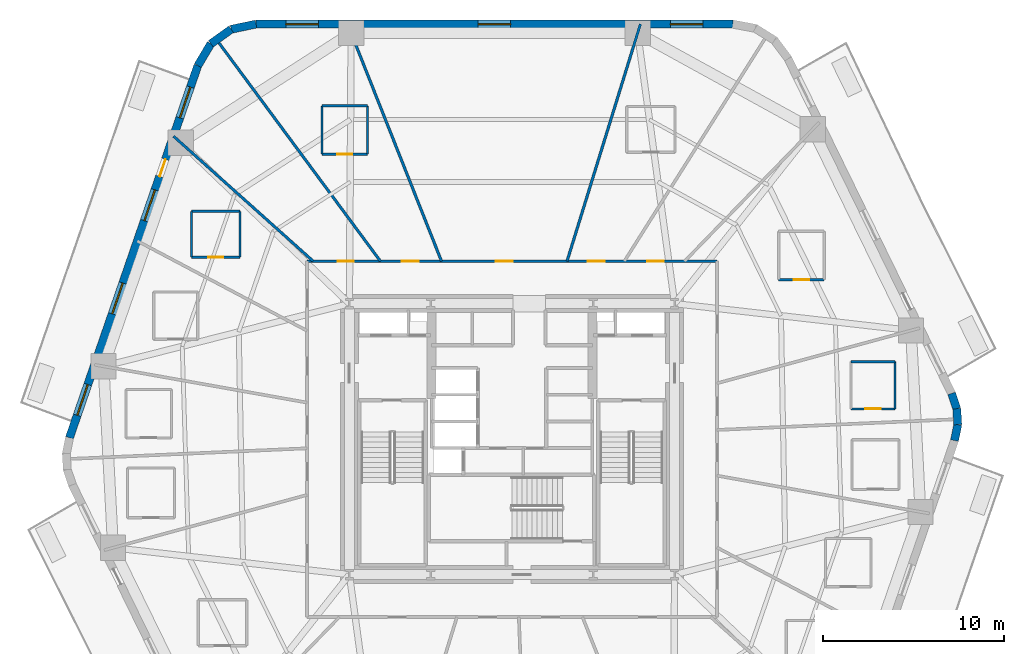
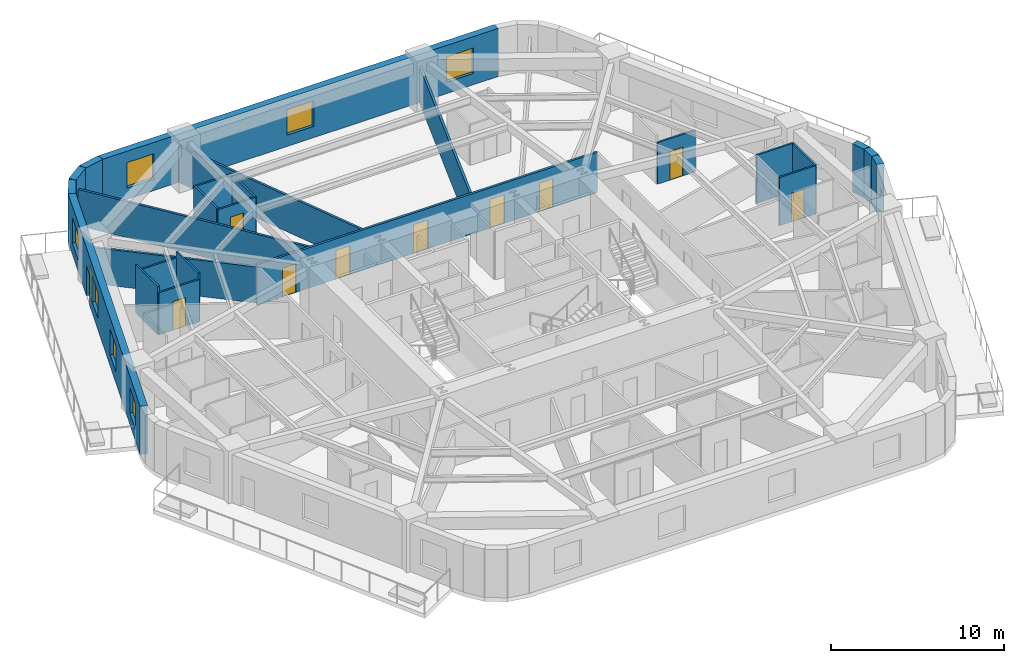
# One storey, part 6 of 10: 25 walls, 10 doors, 7 windows, 17 openings.
"""IFC4 building model written with IfcOpenShell, lengths in metres."""

from ifc_helpers import new_model, si_unit, direction, frame, frame_2d, origin, place, context, subcontext, project, spatial, rectangle, extrude, material, layer, layer_set, type_object, element, fill, save


model = new_model("IFC4")

# Units and contexts
model_context = context("Model", 3, precision=1e-05, world=origin(), true_north=direction((0.0, 1.0)))
body_context = subcontext(model_context, "Body", "Model", "MODEL_VIEW")
ifc_project = project(units=[si_unit("LENGTHUNIT", "METRE"), si_unit("AREAUNIT", "SQUARE_METRE"), si_unit("VOLUMEUNIT", "CUBIC_METRE"), si_unit("PLANEANGLEUNIT", "RADIAN"), si_unit("MASSUNIT", "GRAM", prefix="KILO")], contexts=[model_context])

# Site, building, storey
site_placement = place(None, origin())
site = spatial("IfcSite", under=ifc_project, at=site_placement, CompositionType="ELEMENT")
building_placement = place(site_placement, origin())
building = spatial("IfcBuilding", under=site, at=building_placement, Name="Kilnhurst Terrace Hotel", CompositionType="ELEMENT")
storey_placement = place(building_placement, frame((0.0, 0.0, 52.699951171875)))
storey = spatial("IfcBuildingStorey", under=building, at=storey_placement, Name="L11", CompositionType="ELEMENT", Elevation=52.699951171875)

# Walls
ifc_material_1 = material(Name="Precast concrete C40/50", Category="concrete")
ifc_layer_1 = layer(ifc_material_1, 0.449951171875, Name="Precast concrete C40/50")
ifc_layer_set_1 = layer_set([ifc_layer_1], Name="Precast concrete C40/50")
wall_type_1 = type_object("IfcWallType", Name="WL-BRK-450", PredefinedType="SOLIDWALL", material=ifc_layer_set_1)
wall_1_placement = place(storey_placement, frame((24.49560546875, -0.07666015625, 0.0), z_axis=(0.0, 0.0, 1.0), x_axis=(0.199570594521, 0.979883451132, 0.0)))
element("IfcWall", 1, at=wall_1_placement, inside=storey, type_object=wall_type_1, Name="L11 Rounded Corner Brick Wall C3.1", PredefinedType="SOLIDWALL", context=body_context, shape_type="SweptSolid", body=[
    extrude(rectangle(XDim=0.896728515625, YDim=0.449951171875, at=frame_2d((0.4482421875, 0.0))), origin(), (0.0, 0.0, 1.0), 3.400146484375),
])
wall_2_placement = place(storey_placement, frame((24.674560546875, 0.802001953125, 0.0), z_axis=(0.0, 0.0, 1.0), x_axis=(-0.061188874166, 0.998126205286, 0.0)))
element("IfcWall", 2, at=wall_2_placement, inside=storey, type_object=wall_type_1, Name="L11 Rounded Corner Brick Wall C3.2", PredefinedType="SOLIDWALL", context=body_context, shape_type="SweptSolid", body=[
    extrude(rectangle(XDim=0.8818359375, YDim=0.449951171875, at=frame_2d((0.44091796875, 0.0))), origin(), (0.0, 0.0, 1.0), 3.400146484375),
])
wall_3_placement = place(storey_placement, frame((24.62060546875, 1.68212890625, 0.0), z_axis=(0.0, 0.0, 1.0), x_axis=(-0.317697451681, 0.948192137278, 0.0)))
element("IfcWall", 3, at=wall_3_placement, inside=storey, type_object=wall_type_1, Name="L11 Rounded Corner Brick Wall C3.3", PredefinedType="SOLIDWALL", context=body_context, shape_type="SweptSolid", body=[
    extrude(rectangle(XDim=0.896728515625, YDim=0.449951171875, at=frame_2d((0.4482421875, 0.0))), origin(), (0.0, 0.0, 1.0), 3.400146484375),
])
wall_4_placement = place(storey_placement, frame((-14.168212890625, 22.97509765625, 0.0), z_axis=(0.0, 0.0, 1.0), x_axis=(-0.978770371074, -0.204959900243, 0.0)))
element("IfcWall", 4, at=wall_4_placement, inside=storey, type_object=wall_type_1, Name="L11 Rounded Corner Brick Wall C5.1", PredefinedType="SOLIDWALL", context=body_context, shape_type="SweptSolid", body=[
    extrude(rectangle(XDim=1.405517578125, YDim=0.449951171875, at=frame_2d((0.70263671875, 0.0))), origin(), (0.0, 0.0, 1.0), 3.400146484375),
])
wall_5_placement = place(storey_placement, frame((-15.5439453125, 22.68701171875, 0.0), z_axis=(0.0, 0.0, 1.0), x_axis=(-0.814210854316, -0.580569276412, 0.0)))
element("IfcWall", 5, at=wall_5_placement, inside=storey, type_object=wall_type_1, Name="L11 Rounded Corner Brick Wall C5.2", PredefinedType="SOLIDWALL", context=body_context, shape_type="SweptSolid", body=[
    extrude(rectangle(XDim=1.38134765625, YDim=0.449951171875, at=frame_2d((0.690673828125, 0.0))), origin(), (0.0, 0.0, 1.0), 3.400146484375),
])
wall_6_placement = place(storey_placement, frame((-16.668701171875, 21.885009765625, 0.0), z_axis=(0.0, 0.0, 1.0), x_axis=(-0.512936712947, -0.858426425799, 0.0)))
element("IfcWall", 6, at=wall_6_placement, inside=storey, type_object=wall_type_1, Name="L11 Rounded Corner Brick Wall C5.3", PredefinedType="SOLIDWALL", context=body_context, shape_type="SweptSolid", body=[
    extrude(rectangle(XDim=1.405517578125, YDim=0.449951171875, at=frame_2d((0.70263671875, 0.0))), origin(), (0.0, 0.0, 1.0), 3.400146484375),
])

# Wall, openings, windows
wall_7_placement = place(storey_placement, frame((12.220947265625, 22.97509765625, 0.0), z_axis=(0.0, 0.0, 1.0), x_axis=(-1.0, 0.0, 0.0)))
wall_7 = element("IfcWall", 7, at=wall_7_placement, inside=storey, type_object=wall_type_1, Name="L11 Exterior Brick Facade Wall F4", PredefinedType="SOLIDWALL", context=body_context, shape_type="SweptSolid", body=[
    extrude(rectangle(XDim=26.38916015625, YDim=0.449951171875, at=frame_2d((13.194580078125, 0.0))), origin(), (0.0, 0.0, 1.0), 3.400146484375),
])
opening_1_placement = place(wall_7_placement, frame((1.653076171875, 0.0, 0.800048828125)))
opening_1 = element("IfcOpeningElement", 8, at=opening_1_placement, cuts=wall_7, Name="Opening W-01", PredefinedType="OPENING", context=body_context, shape_type="SweptSolid", body=[
    extrude(rectangle(XDim=1.800048828125, YDim=1.800048828125, at=frame_2d((0.89990234375, 0.89990234375))), frame((0.0, 0.23486328125, 0.0), z_axis=(0.0, -1.0, 0.0), x_axis=(1.0, 0.0, 0.0)), (0.0, 0.0, 1.0), 0.469970703125),
])
opening_2_placement = place(wall_7_placement, frame((12.2958984375, 0.0, 0.800048828125)))
opening_2 = element("IfcOpeningElement", 9, at=opening_2_placement, cuts=wall_7, Name="Opening W-01", PredefinedType="OPENING", context=body_context, shape_type="SweptSolid", body=[
    extrude(rectangle(XDim=1.800048828125, YDim=1.800048828125, at=frame_2d((0.89990234375, 0.89990234375))), frame((0.0, 0.23486328125, 0.0), z_axis=(0.0, -1.0, 0.0), x_axis=(1.0, 0.0, 0.0)), (0.0, 0.0, 1.0), 0.469970703125),
])
opening_3_placement = place(wall_7_placement, frame((22.93798828125, 0.0, 0.800048828125)))
opening_3 = element("IfcOpeningElement", 10, at=opening_3_placement, cuts=wall_7, Name="Opening W-01", PredefinedType="OPENING", context=body_context, shape_type="SweptSolid", body=[
    extrude(rectangle(XDim=1.800048828125, YDim=1.800048828125, at=frame_2d((0.89990234375, 0.89990234375))), frame((0.0, 0.23486328125, 0.0), z_axis=(0.0, -1.0, 0.0), x_axis=(1.0, 0.0, 0.0)), (0.0, 0.0, 1.0), 0.469970703125),
])
ifc_material_2 = material(Name="Thermally Broken Bronze Aluminium Alloy 6063-T6 and Low-E Glass", Category="aluminium")
window_type = type_object("IfcWindowType", Name="WIN-1800X1800", PartitioningType="SINGLE_PANEL", PredefinedType="WINDOW", material=ifc_material_2)
window_1_placement = place(opening_1_placement, origin())
window_1 = element("IfcWindow", 11, at=window_1_placement, inside=storey, type_object=window_type, Name="L11 Deep-Set Masonry Window F4.1", OverallHeight=1.800048828125, OverallWidth=1.800048828125, PartitioningType="SINGLE_PANEL", PredefinedType="WINDOW", context=body_context, shape_type="SweptSolid", body=[
    extrude(rectangle(XDim=1.800048828125, YDim=1.800048828125, at=frame_2d((0.89990234375, 0.89990234375))), frame((0.0, 0.030029296875, 0.0), z_axis=(0.0, -1.0, 0.0), x_axis=(1.0, 0.0, 0.0)), (0.0, 0.0, 1.0), 0.06005859375),
])
fill(opening_1, window_1)
window_2_placement = place(opening_2_placement, origin())
window_2 = element("IfcWindow", 12, at=window_2_placement, inside=storey, type_object=window_type, Name="L11 Deep-Set Masonry Window F4.2", OverallHeight=1.800048828125, OverallWidth=1.800048828125, PartitioningType="SINGLE_PANEL", PredefinedType="WINDOW", context=body_context, shape_type="SweptSolid", body=[
    extrude(rectangle(XDim=1.800048828125, YDim=1.800048828125, at=frame_2d((0.89990234375, 0.89990234375))), frame((0.0, 0.030029296875, 0.0), z_axis=(0.0, -1.0, 0.0), x_axis=(1.0, 0.0, 0.0)), (0.0, 0.0, 1.0), 0.06005859375),
])
fill(opening_2, window_2)
window_3_placement = place(opening_3_placement, origin())
window_3 = element("IfcWindow", 13, at=window_3_placement, inside=storey, type_object=window_type, Name="L11 Deep-Set Masonry Window F4.3", OverallHeight=1.800048828125, OverallWidth=1.800048828125, PartitioningType="SINGLE_PANEL", PredefinedType="WINDOW", context=body_context, shape_type="SweptSolid", body=[
    extrude(rectangle(XDim=1.800048828125, YDim=1.800048828125, at=frame_2d((0.89990234375, 0.89990234375))), frame((0.0, 0.030029296875, 0.0), z_axis=(0.0, -1.0, 0.0), x_axis=(1.0, 0.0, 0.0)), (0.0, 0.0, 1.0), 0.06005859375),
])
fill(opening_3, window_3)

# Wall, openings, door, windows
wall_8_placement = place(storey_placement, frame((-17.3896484375, 20.678466796875, 0.0), z_axis=(0.0, 0.0, 1.0), x_axis=(-0.326068018294, -0.945346310854, 0.0)))
wall_8 = element("IfcWall", 14, at=wall_8_placement, inside=storey, type_object=wall_type_1, Name="L11 Exterior Brick Facade Wall F5", PredefinedType="SOLIDWALL", context=body_context, shape_type="SweptSolid", body=[
    extrude(rectangle(XDim=21.79296875, YDim=0.449951171875, at=frame_2d((10.896484375, 0.0))), origin(), (0.0, 0.0, 1.0), 3.400146484375),
])
opening_4_placement = place(wall_8_placement, frame((5.492919921875, 0.0, 0.0)))
opening_4 = element("IfcOpeningElement", 15, at=opening_4_placement, cuts=wall_8, Name="Opening BD-1000", PredefinedType="OPENING", context=body_context, shape_type="SweptSolid", body=[
    extrude(rectangle(XDim=1.0, YDim=2.14990234375, at=frame_2d((0.5, 1.074951171875))), frame((0.0, 0.23486328125, 0.0), z_axis=(0.0, -1.0, 0.0), x_axis=(1.0, 0.0, 0.0)), (0.0, 0.0, 1.0), 0.469970703125),
])
opening_5_placement = place(wall_8_placement, frame((1.260009765625, 0.0, 0.800048828125)))
opening_5 = element("IfcOpeningElement", 16, at=opening_5_placement, cuts=wall_8, Name="Opening W-01", PredefinedType="OPENING", context=body_context, shape_type="SweptSolid", body=[
    extrude(rectangle(XDim=1.800048828125, YDim=1.800048828125, at=frame_2d((0.89990234375, 0.89990234375))), frame((0.0, 0.23486328125, 0.0), z_axis=(0.0, -1.0, 0.0), x_axis=(1.0, 0.0, 0.0)), (0.0, 0.0, 1.0), 0.469970703125),
])
opening_6_placement = place(wall_8_placement, frame((7.282958984375, 0.0, 0.800048828125)))
opening_6 = element("IfcOpeningElement", 17, at=opening_6_placement, cuts=wall_8, Name="Opening W-01", PredefinedType="OPENING", context=body_context, shape_type="SweptSolid", body=[
    extrude(rectangle(XDim=1.800048828125, YDim=1.800048828125, at=frame_2d((0.89990234375, 0.89990234375))), frame((0.0, 0.23486328125, 0.0), z_axis=(0.0, -1.0, 0.0), x_axis=(1.0, 0.0, 0.0)), (0.0, 0.0, 1.0), 0.469970703125),
])
opening_7_placement = place(wall_8_placement, frame((12.736083984375, 0.0, 0.800048828125)))
opening_7 = element("IfcOpeningElement", 18, at=opening_7_placement, cuts=wall_8, Name="Opening W-01", PredefinedType="OPENING", context=body_context, shape_type="SweptSolid", body=[
    extrude(rectangle(XDim=1.800048828125, YDim=1.800048828125, at=frame_2d((0.89990234375, 0.89990234375))), frame((0.0, 0.23486328125, 0.0), z_axis=(0.0, -1.0, 0.0), x_axis=(1.0, 0.0, 0.0)), (0.0, 0.0, 1.0), 0.469970703125),
])
opening_8_placement = place(wall_8_placement, frame((18.679931640625, 0.0, 0.800048828125)))
opening_8 = element("IfcOpeningElement", 19, at=opening_8_placement, cuts=wall_8, Name="Opening W-01", PredefinedType="OPENING", context=body_context, shape_type="SweptSolid", body=[
    extrude(rectangle(XDim=1.800048828125, YDim=1.800048828125, at=frame_2d((0.89990234375, 0.89990234375))), frame((0.0, 0.23486328125, 0.0), z_axis=(0.0, -1.0, 0.0), x_axis=(1.0, 0.0, 0.0)), (0.0, 0.0, 1.0), 0.469970703125),
])
ifc_material_3 = material(Name="Thermally Broken Bronze Aluminium Alloy 6063-T6 and Laminated Glass", Category="aluminium")
door_type_1 = type_object("IfcDoorType", Name="DR-EXT-BAL-1000", OperationType="NOTDEFINED", PredefinedType="DOOR", material=ifc_material_3)
door_1_placement = place(opening_4_placement, origin())
door_1 = element("IfcDoor", 20, at=door_1_placement, inside=storey, type_object=door_type_1, Name="L11 Planted Balcony Door BAL-L2A", OperationType="SINGLE_SWING_LEFT", OverallHeight=2.14990234375, OverallWidth=1.0, PredefinedType="DOOR", context=body_context, shape_type="SweptSolid", body=[
    extrude(rectangle(XDim=1.0, YDim=2.14990234375, at=frame_2d((0.5, 1.074951171875))), frame((0.0, 0.02490234375, 0.0), z_axis=(0.0, -1.0, 0.0), x_axis=(1.0, 0.0, 0.0)), (0.0, 0.0, 1.0), 0.050048828125),
])
fill(opening_4, door_1)
window_4_placement = place(opening_5_placement, origin())
window_4 = element("IfcWindow", 21, at=window_4_placement, inside=storey, type_object=window_type, Name="L11 Deep-Set Masonry Window F5.1", OverallHeight=1.800048828125, OverallWidth=1.800048828125, PartitioningType="SINGLE_PANEL", PredefinedType="WINDOW", context=body_context, shape_type="SweptSolid", body=[
    extrude(rectangle(XDim=1.800048828125, YDim=1.800048828125, at=frame_2d((0.89990234375, 0.89990234375))), frame((0.0, 0.030029296875, 0.0), z_axis=(0.0, -1.0, 0.0), x_axis=(1.0, 0.0, 0.0)), (0.0, 0.0, 1.0), 0.06005859375),
])
fill(opening_5, window_4)
window_5_placement = place(opening_6_placement, origin())
window_5 = element("IfcWindow", 22, at=window_5_placement, inside=storey, type_object=window_type, Name="L11 Deep-Set Masonry Window F5.2", OverallHeight=1.800048828125, OverallWidth=1.800048828125, PartitioningType="SINGLE_PANEL", PredefinedType="WINDOW", context=body_context, shape_type="SweptSolid", body=[
    extrude(rectangle(XDim=1.800048828125, YDim=1.800048828125, at=frame_2d((0.89990234375, 0.89990234375))), frame((0.0, 0.030029296875, 0.0), z_axis=(0.0, -1.0, 0.0), x_axis=(1.0, 0.0, 0.0)), (0.0, 0.0, 1.0), 0.06005859375),
])
fill(opening_6, window_5)
window_6_placement = place(opening_7_placement, origin())
window_6 = element("IfcWindow", 23, at=window_6_placement, inside=storey, type_object=window_type, Name="L11 Deep-Set Masonry Window F5.3", OverallHeight=1.800048828125, OverallWidth=1.800048828125, PartitioningType="SINGLE_PANEL", PredefinedType="WINDOW", context=body_context, shape_type="SweptSolid", body=[
    extrude(rectangle(XDim=1.800048828125, YDim=1.800048828125, at=frame_2d((0.89990234375, 0.89990234375))), frame((0.0, 0.030029296875, 0.0), z_axis=(0.0, -1.0, 0.0), x_axis=(1.0, 0.0, 0.0)), (0.0, 0.0, 1.0), 0.06005859375),
])
fill(opening_7, window_6)
window_7_placement = place(opening_8_placement, origin())
window_7 = element("IfcWindow", 24, at=window_7_placement, inside=storey, type_object=window_type, Name="L11 Deep-Set Masonry Window F5.4", OverallHeight=1.800048828125, OverallWidth=1.800048828125, PartitioningType="SINGLE_PANEL", PredefinedType="WINDOW", context=body_context, shape_type="SweptSolid", body=[
    extrude(rectangle(XDim=1.800048828125, YDim=1.800048828125, at=frame_2d((0.89990234375, 0.89990234375))), frame((0.0, 0.030029296875, 0.0), z_axis=(0.0, -1.0, 0.0), x_axis=(1.0, 0.0, 0.0)), (0.0, 0.0, 1.0), 0.06005859375),
])
fill(opening_8, window_7)

# Wall, openings, doors
ifc_material_4 = material(Name="Acoustic Double-Gypsum Corridor Partition Assembly")
ifc_layer_2 = layer(ifc_material_4, 0.14990234375, Name="Acoustic Double-Gypsum Corridor Partition Assembly")
ifc_layer_set_2 = layer_set([ifc_layer_2], Name="Acoustic Double-Gypsum Corridor Partition Assembly")
wall_type_2 = type_object("IfcWallType", Name="WL-COR-150", PredefinedType="PARTITIONING", material=ifc_layer_set_2)
wall_9_placement = place(storey_placement, frame((-11.35009765625, 9.85009765625, 0.0), z_axis=(0.0, 0.0, 1.0), x_axis=(1.0, 0.0, 0.0)))
wall_9 = element("IfcWall", 25, at=wall_9_placement, inside=storey, type_object=wall_type_2, Name="L11 Interior Wall WL-L11-COR-02", PredefinedType="PARTITIONING", context=body_context, shape_type="SweptSolid", body=[
    extrude(rectangle(XDim=22.7001953125, YDim=0.14990234375, at=frame_2d((11.35009765625, 0.0))), origin(), (0.0, 0.0, 1.0), 2.840087890625),
])
opening_9_placement = place(wall_9_placement, frame((18.8369140625, 0.0, 0.0)))
opening_9 = element("IfcOpeningElement", 26, at=opening_9_placement, cuts=wall_9, Name="Opening D-60C", PredefinedType="OPENING", context=body_context, shape_type="SweptSolid", body=[
    extrude(rectangle(XDim=0.89990234375, YDim=2.030029296875, at=frame_2d((0.449951171875, 1.01513671875))), frame((0.0, 0.0849609375, 0.0), z_axis=(0.0, -1.0, 0.0), x_axis=(1.0, 0.0, 0.0)), (0.0, 0.0, 1.0), 0.169921875),
])
opening_10_placement = place(wall_9_placement, frame((15.531982421875, 0.0, 0.0)))
opening_10 = element("IfcOpeningElement", 27, at=opening_10_placement, cuts=wall_9, Name="Opening D-60B", PredefinedType="OPENING", context=body_context, shape_type="SweptSolid", body=[
    extrude(rectangle(XDim=0.949951171875, YDim=2.030029296875, at=frame_2d((0.47509765625, 1.01513671875))), frame((0.0, 0.0849609375, 0.0), z_axis=(0.0, -1.0, 0.0), x_axis=(1.0, 0.0, 0.0)), (0.0, 0.0, 1.0), 0.169921875),
])
opening_11_placement = place(wall_9_placement, frame((10.444091796875, 0.0, 0.0)))
opening_11 = element("IfcOpeningElement", 28, at=opening_11_placement, cuts=wall_9, Name="Opening D-60B", PredefinedType="OPENING", context=body_context, shape_type="SweptSolid", body=[
    extrude(rectangle(XDim=0.949951171875, YDim=2.030029296875, at=frame_2d((0.47509765625, 1.01513671875))), frame((0.0, 0.0849609375, 0.0), z_axis=(0.0, -1.0, 0.0), x_axis=(1.0, 0.0, 0.0)), (0.0, 0.0, 1.0), 0.169921875),
])
opening_12_placement = place(wall_9_placement, frame((5.251953125, 0.0, 0.0)))
opening_12 = element("IfcOpeningElement", 29, at=opening_12_placement, cuts=wall_9, Name="Opening D-60B", PredefinedType="OPENING", context=body_context, shape_type="SweptSolid", body=[
    extrude(rectangle(XDim=0.949951171875, YDim=2.030029296875, at=frame_2d((0.47509765625, 1.01513671875))), frame((0.0, 0.0849609375, 0.0), z_axis=(0.0, -1.0, 0.0), x_axis=(1.0, 0.0, 0.0)), (0.0, 0.0, 1.0), 0.169921875),
])
opening_13_placement = place(wall_9_placement, frame((1.701904296875, 0.0, 0.0)))
opening_13 = element("IfcOpeningElement", 30, at=opening_13_placement, cuts=wall_9, Name="Opening D-60C", PredefinedType="OPENING", context=body_context, shape_type="SweptSolid", body=[
    extrude(rectangle(XDim=0.89990234375, YDim=2.030029296875, at=frame_2d((0.449951171875, 1.01513671875))), frame((0.0, 0.0849609375, 0.0), z_axis=(0.0, -1.0, 0.0), x_axis=(1.0, 0.0, 0.0)), (0.0, 0.0, 1.0), 0.169921875),
])
ifc_material_5 = material(Name="Painted Solid-Core Service Fire Door")
door_type_2 = type_object("IfcDoorType", Name="DR-FD60-900", OperationType="NOTDEFINED", PredefinedType="DOOR", material=ifc_material_5)
door_2_placement = place(opening_9_placement, origin())
door_2 = element("IfcDoor", 31, at=door_2_placement, inside=storey, type_object=door_type_2, Name="L11 Executive Work Office Door 3", OperationType="SINGLE_SWING_LEFT", OverallHeight=2.030029296875, OverallWidth=0.89990234375, PredefinedType="DOOR", context=body_context, shape_type="SweptSolid", body=[
    extrude(rectangle(XDim=0.89990234375, YDim=2.030029296875, at=frame_2d((0.449951171875, 1.01513671875))), frame((0.0, 0.02490234375, 0.0), z_axis=(0.0, -1.0, 0.0), x_axis=(1.0, 0.0, 0.0)), (0.0, 0.0, 1.0), 0.050048828125),
])
fill(opening_9, door_2)
door_3_placement = place(opening_13_placement, origin())
door_3 = element("IfcDoor", 32, at=door_3_placement, inside=storey, type_object=door_type_2, Name="L11 Executive Work Office Door 7", OperationType="SINGLE_SWING_LEFT", OverallHeight=2.030029296875, OverallWidth=0.89990234375, PredefinedType="DOOR", context=body_context, shape_type="SweptSolid", body=[
    extrude(rectangle(XDim=0.89990234375, YDim=2.030029296875, at=frame_2d((0.449951171875, 1.01513671875))), frame((0.0, 0.02490234375, 0.0), z_axis=(0.0, -1.0, 0.0), x_axis=(1.0, 0.0, 0.0)), (0.0, 0.0, 1.0), 0.050048828125),
])
fill(opening_13, door_3)
ifc_material_6 = material(Name="Acoustic Walnut Veneer Solid-Core Fire Door")
door_type_3 = type_object("IfcDoorType", Name="DR-FD60-950", OperationType="NOTDEFINED", PredefinedType="DOOR", material=ifc_material_6)
door_4_placement = place(opening_10_placement, origin())
door_4 = element("IfcDoor", 33, at=door_4_placement, inside=storey, type_object=door_type_3, Name="L11 Guest Room Entry Door 4", OperationType="SINGLE_SWING_RIGHT", OverallHeight=2.030029296875, OverallWidth=0.949951171875, PredefinedType="DOOR", context=body_context, shape_type="SweptSolid", body=[
    extrude(rectangle(XDim=0.949951171875, YDim=2.030029296875, at=frame_2d((0.47509765625, 1.01513671875))), frame((0.0, 0.02490234375, 0.0), z_axis=(0.0, -1.0, 0.0), x_axis=(1.0, 0.0, 0.0)), (0.0, 0.0, 1.0), 0.050048828125),
])
fill(opening_10, door_4)
door_5_placement = place(opening_11_placement, origin())
door_5 = element("IfcDoor", 34, at=door_5_placement, inside=storey, type_object=door_type_3, Name="L11 Executive Boardroom Door", OperationType="SINGLE_SWING_LEFT", OverallHeight=2.030029296875, OverallWidth=0.949951171875, PredefinedType="DOOR", context=body_context, shape_type="SweptSolid", body=[
    extrude(rectangle(XDim=0.949951171875, YDim=2.030029296875, at=frame_2d((0.47509765625, 1.01513671875))), frame((0.0, 0.02490234375, 0.0), z_axis=(0.0, -1.0, 0.0), x_axis=(1.0, 0.0, 0.0)), (0.0, 0.0, 1.0), 0.050048828125),
])
fill(opening_11, door_5)
door_6_placement = place(opening_12_placement, origin())
door_6 = element("IfcDoor", 35, at=door_6_placement, inside=storey, type_object=door_type_3, Name="L11 Guest Room Entry Door 6", OperationType="SINGLE_SWING_RIGHT", OverallHeight=2.030029296875, OverallWidth=0.949951171875, PredefinedType="DOOR", context=body_context, shape_type="SweptSolid", body=[
    extrude(rectangle(XDim=0.949951171875, YDim=2.030029296875, at=frame_2d((0.47509765625, 1.01513671875))), frame((0.0, 0.02490234375, 0.0), z_axis=(0.0, -1.0, 0.0), x_axis=(1.0, 0.0, 0.0)), (0.0, 0.0, 1.0), 0.050048828125),
])
fill(opening_12, door_6)

# Walls
ifc_material_7 = material(Name="STC-58 Acoustic Twin-Frame Guestroom Demising Partition")
ifc_layer_3 = layer(ifc_material_7, 0.14990234375, Name="STC-58 Acoustic Twin-Frame Guestroom Demising Partition")
ifc_layer_set_3 = layer_set([ifc_layer_3], Name="STC-58 Acoustic Twin-Frame Guestroom Demising Partition")
wall_type_3 = type_object("IfcWallType", Name="WL-DEM-150", PredefinedType="PARTITIONING", material=ifc_layer_set_3)
wall_10_placement = place(storey_placement, frame((3.047607421875, 9.85009765625, 0.0), z_axis=(0.0, 0.0, 1.0), x_axis=(0.295553992761, 0.955326037206, 0.0)))
element("IfcWall", 36, at=wall_10_placement, inside=storey, type_object=wall_type_3, Name="L11 Interior Wall WL-L11-DEM-COL03-05-1", PredefinedType="PARTITIONING", context=body_context, shape_type="SweptSolid", body=[
    extrude(rectangle(XDim=13.73876953125, YDim=0.14990234375, at=frame_2d((6.869384765625, 0.0))), origin(), (0.0, 0.0, 1.0), 2.5400390625),
])
wall_11_placement = place(storey_placement, frame((-3.90185546875, 9.85009765625, 0.0), z_axis=(0.0, 0.0, 1.0), x_axis=(-0.36828765711, 0.929711891728, 0.0)))
element("IfcWall", 37, at=wall_11_placement, inside=storey, type_object=wall_type_3, Name="L11 Interior Wall WL-L11-DEM-COL04-06-1", PredefinedType="PARTITIONING", context=body_context, shape_type="SweptSolid", body=[
    extrude(rectangle(XDim=14.1171875, YDim=0.14990234375, at=frame_2d((7.05859375, 0.0))), origin(), (0.0, 0.0, 1.0), 2.5400390625),
])
wall_12_placement = place(storey_placement, frame((-7.284912109375, 9.85009765625, 0.0), z_axis=(0.0, 0.0, 1.0), x_axis=(-0.594630332275, 0.803999233792, 0.0)))
element("IfcWall", 38, at=wall_12_placement, inside=storey, type_object=wall_type_3, Name="L11 Interior Wall WL-L11-DEM-MID04-07-1", PredefinedType="PARTITIONING", context=body_context, shape_type="SweptSolid", body=[
    extrude(rectangle(XDim=15.089111328125, YDim=0.14990234375, at=frame_2d((7.54443359375, 0.0))), origin(), (0.0, 0.0, 1.0), 2.5400390625),
])
wall_13_placement = place(storey_placement, frame((-11.006591796875, 9.85009765625, 0.0), z_axis=(0.0, 0.0, 1.0), x_axis=(-0.745177305978, 0.666866390407, 0.0)))
element("IfcWall", 39, at=wall_13_placement, inside=storey, type_object=wall_type_3, Name="L11 Interior Wall WL-L11-DEM-COL05-08-1", PredefinedType="PARTITIONING", context=body_context, shape_type="SweptSolid", body=[
    extrude(rectangle(XDim=10.375244140625, YDim=0.14990234375, at=frame_2d((5.1875, 0.0))), origin(), (0.0, 0.0, 1.0), 2.5400390625),
])

# Wall, opening, door
ifc_material_8 = material(Name="120 mm Moisture-Resistant Tile-Backed Bathroom Partition")
ifc_layer_4 = layer(ifc_material_8, 0.1201171875, Name="120 mm Moisture-Resistant Tile-Backed Bathroom Partition")
ifc_layer_set_4 = layer_set([ifc_layer_4], Name="120 mm Moisture-Resistant Tile-Backed Bathroom Partition")
wall_type_4 = type_object("IfcWallType", Name="WL-PART-120", PredefinedType="PARTITIONING", material=ifc_layer_set_4)
wall_14_placement = place(storey_placement, frame((18.760009765625, 1.676025390625, 0.0), z_axis=(0.0, 0.0, 1.0), x_axis=(1.0, 0.0, 0.0)))
wall_14 = element("IfcWall", 40, at=wall_14_placement, inside=storey, type_object=wall_type_4, Name="L11 Interior Wall WL-L11-BTH-01-1", PredefinedType="PARTITIONING", context=body_context, shape_type="SweptSolid", body=[
    extrude(rectangle(XDim=2.43994140625, YDim=0.1201171875, at=frame_2d((1.219970703125, 0.0))), origin(), (0.0, 0.0, 1.0), 3.400146484375),
])
opening_14_placement = place(wall_14_placement, frame((0.794921875, 0.0, 0.0)))
opening_14 = element("IfcOpeningElement", 41, at=opening_14_placement, cuts=wall_14, Name="Opening D-08A", PredefinedType="OPENING", context=body_context, shape_type="SweptSolid", body=[
    extrude(rectangle(XDim=0.85009765625, YDim=2.030029296875, at=frame_2d((0.425048828125, 1.01513671875))), frame((0.0, 0.070068359375, 0.0), z_axis=(0.0, -1.0, 0.0), x_axis=(1.0, 0.0, 0.0)), (0.0, 0.0, 1.0), 0.14013671875),
])
ifc_material_9 = material(Name="Moisture-Resistant Lacquered En-suite Bathroom Door")
door_type_4 = type_object("IfcDoorType", Name="DR-INT-850", OperationType="NOTDEFINED", PredefinedType="DOOR", material=ifc_material_9)
door_7_placement = place(opening_14_placement, origin())
door_7 = element("IfcDoor", 42, at=door_7_placement, inside=storey, type_object=door_type_4, Name="L11 En-suite Bathroom Door 1", OperationType="SINGLE_SWING_RIGHT", OverallHeight=2.030029296875, OverallWidth=0.85009765625, PredefinedType="DOOR", context=body_context, shape_type="SweptSolid", body=[
    extrude(rectangle(XDim=0.85009765625, YDim=2.030029296875, at=frame_2d((0.425048828125, 1.01513671875))), frame((0.0, 0.02490234375, 0.0), z_axis=(0.0, -1.0, 0.0), x_axis=(1.0, 0.0, 0.0)), (0.0, 0.0, 1.0), 0.050048828125),
])
fill(opening_14, door_7)

# Walls
wall_15_placement = place(storey_placement, frame((21.199951171875, 1.676025390625, 0.0), z_axis=(0.0, 0.0, 1.0), x_axis=(0.0, 1.0, 0.0)))
element("IfcWall", 43, at=wall_15_placement, inside=storey, type_object=wall_type_4, Name="L11 Interior Wall WL-L11-BTH-01-2", PredefinedType="PARTITIONING", context=body_context, shape_type="SweptSolid", body=[
    extrude(rectangle(XDim=2.60986328125, YDim=0.1201171875, at=frame_2d((1.304931640625, 0.0))), origin(), (0.0, 0.0, 1.0), 3.400146484375),
])
wall_16_placement = place(storey_placement, frame((21.199951171875, 4.285888671875, 0.0), z_axis=(0.0, 0.0, 1.0), x_axis=(-1.0, 0.0, 0.0)))
element("IfcWall", 44, at=wall_16_placement, inside=storey, type_object=wall_type_4, Name="L11 Interior Wall WL-L11-BTH-01-3", PredefinedType="PARTITIONING", context=body_context, shape_type="SweptSolid", body=[
    extrude(rectangle(XDim=2.43994140625, YDim=0.1201171875, at=frame_2d((1.219970703125, 0.0))), origin(), (0.0, 0.0, 1.0), 3.400146484375),
])

# Wall, opening, door
wall_17_placement = place(storey_placement, frame((14.763916015625, 8.824951171875, 0.0), z_axis=(0.0, 0.0, 1.0), x_axis=(1.0, 0.0, 0.0)))
wall_17 = element("IfcWall", 45, at=wall_17_placement, inside=storey, type_object=wall_type_4, Name="L11 Interior Wall WL-L11-BTH-02-1", PredefinedType="PARTITIONING", context=body_context, shape_type="SweptSolid", body=[
    extrude(rectangle(XDim=2.52001953125, YDim=0.1201171875, at=frame_2d((1.260009765625, 0.0))), origin(), (0.0, 0.0, 1.0), 2.926513671875),
])
opening_15_placement = place(wall_17_placement, frame((0.8349609375, 0.0, 0.0)))
opening_15 = element("IfcOpeningElement", 46, at=opening_15_placement, cuts=wall_17, Name="Opening D-08A", PredefinedType="OPENING", context=body_context, shape_type="SweptSolid", body=[
    extrude(rectangle(XDim=0.85009765625, YDim=2.030029296875, at=frame_2d((0.425048828125, 1.01513671875))), frame((0.0, 0.070068359375, 0.0), z_axis=(0.0, -1.0, 0.0), x_axis=(1.0, 0.0, 0.0)), (0.0, 0.0, 1.0), 0.14013671875),
])
door_8_placement = place(opening_15_placement, origin())
door_8 = element("IfcDoor", 47, at=door_8_placement, inside=storey, type_object=door_type_4, Name="L11 En-suite Bathroom Door 2", OperationType="SINGLE_SWING_LEFT", OverallHeight=2.030029296875, OverallWidth=0.85009765625, PredefinedType="DOOR", context=body_context, shape_type="SweptSolid", body=[
    extrude(rectangle(XDim=0.85009765625, YDim=2.030029296875, at=frame_2d((0.425048828125, 1.01513671875))), frame((0.0, 0.02490234375, 0.0), z_axis=(0.0, -1.0, 0.0), x_axis=(1.0, 0.0, 0.0)), (0.0, 0.0, 1.0), 0.050048828125),
])
fill(opening_15, door_8)

wall_18_placement = place(storey_placement, frame((-10.51904296875, 15.77001953125, 0.0), z_axis=(0.0, 0.0, 1.0), x_axis=(1.0, 0.0, 0.0)))
wall_18 = element("IfcWall", 48, at=wall_18_placement, inside=storey, type_object=wall_type_4, Name="L11 Interior Wall WL-L11-BTH-06-1", PredefinedType="PARTITIONING", context=body_context, shape_type="SweptSolid", body=[
    extrude(rectangle(XDim=2.52001953125, YDim=0.1201171875, at=frame_2d((1.260009765625, 0.0))), origin(), (0.0, 0.0, 1.0), 2.840087890625),
])
opening_16_placement = place(wall_18_placement, frame((0.8349609375, 0.0, 0.0)))
opening_16 = element("IfcOpeningElement", 49, at=opening_16_placement, cuts=wall_18, Name="Opening D-08A", PredefinedType="OPENING", context=body_context, shape_type="SweptSolid", body=[
    extrude(rectangle(XDim=0.85009765625, YDim=2.030029296875, at=frame_2d((0.425048828125, 1.01513671875))), frame((0.0, 0.070068359375, 0.0), z_axis=(0.0, -1.0, 0.0), x_axis=(1.0, 0.0, 0.0)), (0.0, 0.0, 1.0), 0.14013671875),
])
door_9_placement = place(opening_16_placement, origin())
door_9 = element("IfcDoor", 50, at=door_9_placement, inside=storey, type_object=door_type_4, Name="L11 En-suite Bathroom Door 6", OperationType="SINGLE_SWING_LEFT", OverallHeight=2.030029296875, OverallWidth=0.85009765625, PredefinedType="DOOR", context=body_context, shape_type="SweptSolid", body=[
    extrude(rectangle(XDim=0.85009765625, YDim=2.030029296875, at=frame_2d((0.425048828125, 1.01513671875))), frame((0.0, 0.02490234375, 0.0), z_axis=(0.0, -1.0, 0.0), x_axis=(1.0, 0.0, 0.0)), (0.0, 0.0, 1.0), 0.050048828125),
])
fill(opening_16, door_9)

# Walls
wall_19_placement = place(storey_placement, frame((-7.9990234375, 15.77001953125, 0.0), z_axis=(0.0, 0.0, 1.0), x_axis=(0.0, 1.0, 0.0)))
element("IfcWall", 51, at=wall_19_placement, inside=storey, type_object=wall_type_4, Name="L11 Interior Wall WL-L11-BTH-06-2", PredefinedType="PARTITIONING", context=body_context, shape_type="SweptSolid", body=[
    extrude(rectangle(XDim=2.679931640625, YDim=0.1201171875, at=frame_2d((1.33984375, 0.0))), origin(), (0.0, 0.0, 1.0), 2.840576171875),
])
wall_20_placement = place(storey_placement, frame((-7.9990234375, 18.449951171875, 0.0), z_axis=(0.0, 0.0, 1.0), x_axis=(-1.0, 0.0, 0.0)))
element("IfcWall", 52, at=wall_20_placement, inside=storey, type_object=wall_type_4, Name="L11 Interior Wall WL-L11-BTH-06-3", PredefinedType="PARTITIONING", context=body_context, shape_type="SweptSolid", body=[
    extrude(rectangle(XDim=2.52001953125, YDim=0.1201171875, at=frame_2d((1.260009765625, 0.0))), origin(), (0.0, 0.0, 1.0), 2.840087890625),
])
wall_21_placement = place(storey_placement, frame((-10.51904296875, 18.449951171875, 0.0), z_axis=(0.0, 0.0, 1.0), x_axis=(0.0, -1.0, 0.0)))
element("IfcWall", 53, at=wall_21_placement, inside=storey, type_object=wall_type_4, Name="L11 Interior Wall WL-L11-BTH-06-4", PredefinedType="PARTITIONING", context=body_context, shape_type="SweptSolid", body=[
    extrude(rectangle(XDim=2.679931640625, YDim=0.1201171875, at=frame_2d((1.33984375, 0.0))), origin(), (0.0, 0.0, 1.0), 2.926513671875),
])

# Wall, opening, door
wall_22_placement = place(storey_placement, frame((-17.738037109375, 10.072021484375, 0.0), z_axis=(0.0, 0.0, 1.0), x_axis=(1.0, 0.0, 0.0)))
wall_22 = element("IfcWall", 54, at=wall_22_placement, inside=storey, type_object=wall_type_4, Name="L11 Interior Wall WL-L11-BTH-08-1", PredefinedType="PARTITIONING", context=body_context, shape_type="SweptSolid", body=[
    extrude(rectangle(XDim=2.679931640625, YDim=0.1201171875, at=frame_2d((1.33984375, 0.0))), origin(), (0.0, 0.0, 1.0), 2.972412109375),
])
opening_17_placement = place(wall_22_placement, frame((0.9150390625, 0.0, 0.0)))
opening_17 = element("IfcOpeningElement", 55, at=opening_17_placement, cuts=wall_22, Name="Opening D-08A", PredefinedType="OPENING", context=body_context, shape_type="SweptSolid", body=[
    extrude(rectangle(XDim=0.85009765625, YDim=2.030029296875, at=frame_2d((0.425048828125, 1.01513671875))), frame((0.0, 0.070068359375, 0.0), z_axis=(0.0, -1.0, 0.0), x_axis=(1.0, 0.0, 0.0)), (0.0, 0.0, 1.0), 0.14013671875),
])
door_10_placement = place(opening_17_placement, origin())
door_10 = element("IfcDoor", 56, at=door_10_placement, inside=storey, type_object=door_type_4, Name="L11 En-suite Bathroom Door 8", OperationType="SINGLE_SWING_LEFT", OverallHeight=2.030029296875, OverallWidth=0.85009765625, PredefinedType="DOOR", context=body_context, shape_type="SweptSolid", body=[
    extrude(rectangle(XDim=0.85009765625, YDim=2.030029296875, at=frame_2d((0.425048828125, 1.01513671875))), frame((0.0, 0.02490234375, 0.0), z_axis=(0.0, -1.0, 0.0), x_axis=(1.0, 0.0, 0.0)), (0.0, 0.0, 1.0), 0.050048828125),
])
fill(opening_17, door_10)

# Walls
wall_23_placement = place(storey_placement, frame((-15.05810546875, 10.072021484375, 0.0), z_axis=(0.0, 0.0, 1.0), x_axis=(0.0, 1.0, 0.0)))
element("IfcWall", 57, at=wall_23_placement, inside=storey, type_object=wall_type_4, Name="L11 Interior Wall WL-L11-BTH-08-2", PredefinedType="PARTITIONING", context=body_context, shape_type="SweptSolid", body=[
    extrude(rectangle(XDim=2.5400390625, YDim=0.1201171875, at=frame_2d((1.27001953125, 0.0))), origin(), (0.0, 0.0, 1.0), 3.400146484375),
])
wall_24_placement = place(storey_placement, frame((-15.05810546875, 12.612060546875, 0.0), z_axis=(0.0, 0.0, 1.0), x_axis=(-1.0, 0.0, 0.0)))
element("IfcWall", 58, at=wall_24_placement, inside=storey, type_object=wall_type_4, Name="L11 Interior Wall WL-L11-BTH-08-3", PredefinedType="PARTITIONING", context=body_context, shape_type="SweptSolid", body=[
    extrude(rectangle(XDim=2.679931640625, YDim=0.1201171875, at=frame_2d((1.33984375, 0.0))), origin(), (0.0, 0.0, 1.0), 2.972412109375),
])
wall_25_placement = place(storey_placement, frame((-17.738037109375, 12.612060546875, 0.0), z_axis=(0.0, 0.0, 1.0), x_axis=(0.0, -1.0, 0.0)))
element("IfcWall", 59, at=wall_25_placement, inside=storey, type_object=wall_type_4, Name="L11 Interior Wall WL-L11-BTH-08-4", PredefinedType="PARTITIONING", context=body_context, shape_type="SweptSolid", body=[
    extrude(rectangle(XDim=2.5400390625, YDim=0.1201171875, at=frame_2d((1.27001953125, 0.0))), origin(), (0.0, 0.0, 1.0), 3.400146484375),
])

save(model, "model.ifc")
